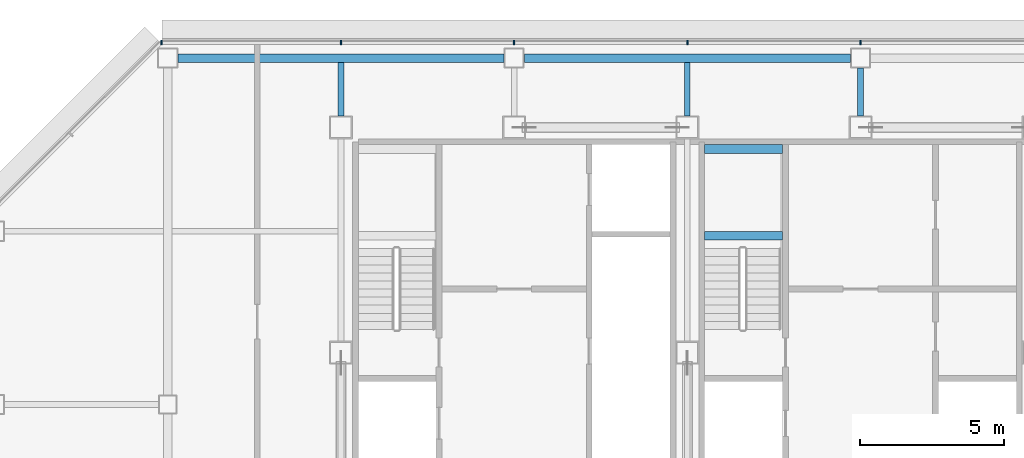
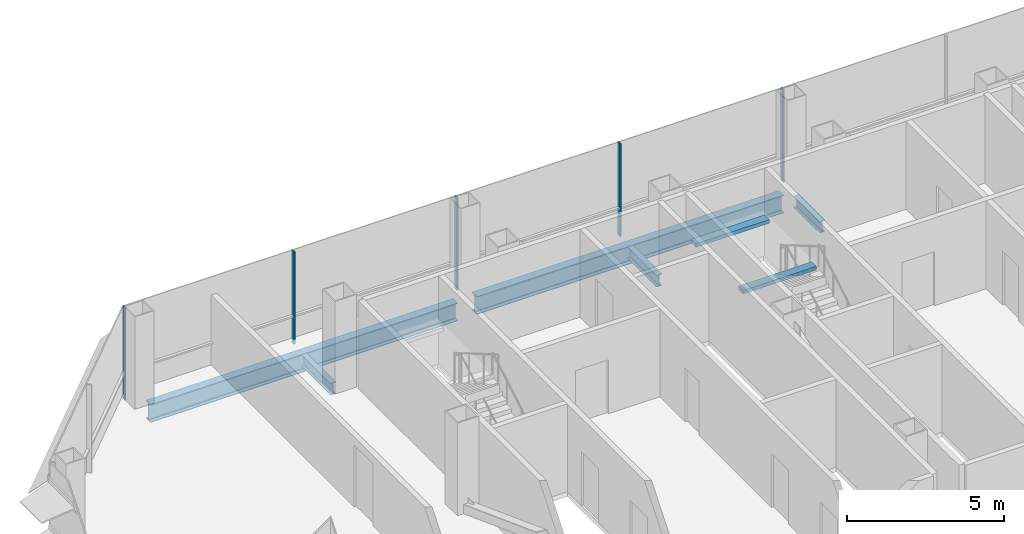
# One storey, part 12 of 26: 7 beams, 5 members, 1 element without a shape of its own.
"""IFC4 building model written with IfcOpenShell, lengths in metres."""

from ifc_helpers import new_model, si_unit, direction, frame, origin, origin_2d, place, context, subcontext, project, spatial, rectangle, i_section, extrude, material, material_profile, profile_set, type_object, element, aggregate, save


model = new_model("IFC4")

# Units and contexts
model_context = context("Model", 3, precision=1e-05, world=origin(), true_north=direction((0.0, 1.0)))
body_context = subcontext(model_context, "Body", "Model", "MODEL_VIEW")
ifc_project = project(units=[si_unit("LENGTHUNIT", "METRE"), si_unit("AREAUNIT", "SQUARE_METRE"), si_unit("VOLUMEUNIT", "CUBIC_METRE"), si_unit("PLANEANGLEUNIT", "RADIAN"), si_unit("MASSUNIT", "GRAM", prefix="KILO")], contexts=[model_context])

# Site, building, storey
site_placement = place(None, origin())
site = spatial("IfcSite", under=ifc_project, at=site_placement, CompositionType="ELEMENT")
building_placement = place(site_placement, origin())
building = spatial("IfcBuilding", under=site, at=building_placement, Name="Sorahane Residences", CompositionType="ELEMENT")
storey_placement = place(building_placement, frame((0.0, 0.0, 154.60009765625)))
storey = spatial("IfcBuildingStorey", under=building, at=storey_placement, Name="L35", CompositionType="ELEMENT", Elevation=154.60009765625)

# Curtain wall, members
ifc_material_1 = material(Name="Dark low-e glass and black anodised aluminium", Category="aluminium")
curtain_wall_type = type_object("IfcCurtainWallType", Name="Curtain wall CW-1 Typical unitised wall", PredefinedType="NOTDEFINED", material=ifc_material_1)
curtain_wall_placement = place(storey_placement, origin())
curtain_wall = element("IfcCurtainWall", 1, at=curtain_wall_placement, inside=storey, type_object=curtain_wall_type, Name="CW-1 curtain wall L35 N1", PredefinedType="NOTDEFINED")
ifc_material_2 = material(Name="Black anodised aluminium", Category="aluminium")
ifc_material_profile_1 = material_profile(ifc_material_2, rectangle(XDim=0.159912109375, YDim=0.050048828125, at=origin_2d()), Name="Curtain wall mullion CW-1 black anodised aluminium 50x160")
ifc_profile_set_1 = profile_set([ifc_material_profile_1], Name="Black anodised aluminium")
member_type = type_object("IfcMemberType", Name="Curtain wall mullion CW-1 black anodised aluminium 50x160", PredefinedType="MULLION", material=ifc_profile_set_1)
member_1_placement = place(storey_placement, frame((24.0, 48.5400390625, -0.18017578125), z_axis=(0.0, 0.0, 1.0), x_axis=(0.0, 1.0, 0.0)))
member_1 = element("IfcMember", 2, at=member_1_placement, type_object=member_type, Name="CW-1 mullion L35 N1.6", PredefinedType="MULLION", context=body_context, shape_type="SweptSolid", body=[
    extrude(rectangle(XDim=0.159912109375, YDim=0.050048828125, at=origin_2d()), origin(), (0.0, 0.0, 1.0), 3.60009765625),
])
member_2_placement = place(storey_placement, frame((18.0, 48.5400390625, -0.18017578125), z_axis=(0.0, 0.0, 1.0), x_axis=(0.0, 1.0, 0.0)))
member_2 = element("IfcMember", 3, at=member_2_placement, type_object=member_type, Name="CW-1 mullion L35 N1.7", PredefinedType="MULLION", context=body_context, shape_type="SweptSolid", body=[
    extrude(rectangle(XDim=0.159912109375, YDim=0.050048828125, at=origin_2d()), origin(), (0.0, 0.0, 1.0), 3.60009765625),
])
member_3_placement = place(storey_placement, frame((12.0, 48.5400390625, -0.18017578125), z_axis=(0.0, 0.0, 1.0), x_axis=(0.0, 1.0, 0.0)))
member_3 = element("IfcMember", 4, at=member_3_placement, type_object=member_type, Name="CW-1 mullion L35 N1.8", PredefinedType="MULLION", context=body_context, shape_type="SweptSolid", body=[
    extrude(rectangle(XDim=0.159912109375, YDim=0.050048828125, at=origin_2d()), origin(), (0.0, 0.0, 1.0), 3.60009765625),
])
member_4_placement = place(storey_placement, frame((6.0, 48.5400390625, -0.18017578125), z_axis=(0.0, 0.0, 1.0), x_axis=(0.0, 1.0, 0.0)))
member_4 = element("IfcMember", 5, at=member_4_placement, type_object=member_type, Name="CW-1 mullion L35 N1.9", PredefinedType="MULLION", context=body_context, shape_type="SweptSolid", body=[
    extrude(rectangle(XDim=0.159912109375, YDim=0.050048828125, at=origin_2d()), origin(), (0.0, 0.0, 1.0), 3.60009765625),
])
member_5_placement = place(storey_placement, frame((-0.2236328125, 48.5400390625, -0.18017578125), z_axis=(0.0, 0.0, 1.0), x_axis=(0.0, 1.0, 0.0)))
member_5 = element("IfcMember", 6, at=member_5_placement, type_object=member_type, Name="CW-1 mullion L35 N1.10", PredefinedType="MULLION", context=body_context, shape_type="SweptSolid", body=[
    extrude(rectangle(XDim=0.159912109375, YDim=0.050048828125, at=origin_2d()), origin(), (0.0, 0.0, 1.0), 3.60009765625),
])
aggregate(curtain_wall, [member_1, member_2, member_3, member_4, member_5])

# Beams
ifc_material_3 = material(Name="Concrete C40", Category="concrete")
ifc_material_profile_2 = material_profile(ifc_material_3, rectangle(XDim=0.300048828125, YDim=0.139892578125, at=origin_2d()), Name="300x140")
ifc_profile_set_2 = profile_set([ifc_material_profile_2], Name="Concrete C40")
beam_type_1 = type_object("IfcBeamType", Name="RC landing beam 300 x 140 Concrete C40", PredefinedType="BEAM", material=ifc_profile_set_2)
for number, where, z_axis, x_axis, name in (
    (7, (18.60009765625, 41.85009765625, 1.52978515625), (1.0, 0.0, 0.0), (0.0, 1.0, 0.0), "Landing beam"),
    (8, (18.60009765625, 44.85009765625, 1.52978515625), (1.0, 0.0, 0.0), (0.0, 1.0, 0.0), "Landing beam"),
):
    element("IfcBeam", number, at=place(storey_placement, frame(where, z_axis=z_axis, x_axis=x_axis)), inside=storey, type_object=beam_type_1, Name=name, PredefinedType="BEAM", context=body_context, shape_type="SweptSolid", body=[
        extrude(rectangle(XDim=0.300048828125, YDim=0.139892578125, at=origin_2d()), origin(), (0.0, 0.0, 1.0), 2.699951171875),
    ])
ifc_material_4 = material(Name="Steel Q355B", Category="steel")
ifc_material_profile_3 = material_profile(ifc_material_4, i_section(OverallWidth=0.199951171875, OverallDepth=0.449951171875, WebThickness=0.009033203125, FlangeThickness=0.013916015625, FilletRadius=0.02001953125, at=origin_2d()), Name="HN 450x200x9x14")
ifc_profile_set_3 = profile_set([ifc_material_profile_3], Name="Steel Q355B")
beam_type_2 = type_object("IfcBeamType", Name="Steel floor beam HN 450x200x9x14 Q355B", PredefinedType="BEAM", material=ifc_profile_set_3)
for number, where, z_axis, x_axis, name in (
    (9, (6.0, 46.0, -0.405029296875), (0.0, 1.0, 0.0), (-1.0, 0.0, 0.0), "Beam L35 033"),
    (10, (18.0, 46.0, -0.405029296875), (0.0, 1.0, 0.0), (-1.0, 0.0, 0.0), "Beam L35 041"),
):
    element("IfcBeam", number, at=place(storey_placement, frame(where, z_axis=z_axis, x_axis=x_axis)), inside=storey, type_object=beam_type_2, Name=name, PredefinedType="BEAM", context=body_context, shape_type="SweptSolid", body=[
        extrude(i_section(OverallWidth=0.199951171875, OverallDepth=0.449951171875, WebThickness=0.009033203125, FlangeThickness=0.013916015625, FilletRadius=0.02001953125, at=origin_2d()), origin(), (0.0, 0.0, 1.0), 1.85009765625),
    ])
beam_placement = place(storey_placement, frame((24.0, 46.0, -0.405029296875), z_axis=(0.0, 1.0, 0.0), x_axis=(-1.0, 0.0, 0.0)))
element("IfcBeam", 11, at=beam_placement, inside=storey, type_object=beam_type_2, Name="Beam L35 043", PredefinedType="BEAM", context=body_context, shape_type="SweptSolid", body=[
    extrude(i_section(OverallWidth=0.199951171875, OverallDepth=0.449951171875, WebThickness=0.009033203125, FlangeThickness=0.013916015625, FilletRadius=0.02001953125, at=origin_2d()), origin(), (0.0, 0.0, 1.0), 1.64990234375),
])
ifc_material_5 = material(Name="Steel Q355B", Category="steel")
ifc_material_profile_4 = material_profile(ifc_material_5, i_section(OverallWidth=0.300048828125, OverallDepth=0.699951171875, WebThickness=0.012939453125, FlangeThickness=0.02392578125, FilletRadius=0.028076171875, at=origin_2d()), Name="HN 700x300x13x24")
ifc_profile_set_4 = profile_set([ifc_material_profile_4], Name="Steel Q355B")
beam_type_3 = type_object("IfcBeamType", Name="Steel floor beam HN 700x300x13x24 Q355B", PredefinedType="BEAM", material=ifc_profile_set_4)
for number, where, z_axis, x_axis, name in (
    (12, (0.35009765625, 48.0, -0.530029296875), (1.0, 0.0, 0.0), (0.0, 1.0, 0.0), "Beam L35 015"),
    (13, (12.35009765625, 48.0, -0.530029296875), (1.0, 0.0, 0.0), (0.0, 1.0, 0.0), "Beam L35 016"),
):
    element("IfcBeam", number, at=place(storey_placement, frame(where, z_axis=z_axis, x_axis=x_axis)), inside=storey, type_object=beam_type_3, Name=name, PredefinedType="BEAM", context=body_context, shape_type="SweptSolid", body=[
        extrude(i_section(OverallWidth=0.300048828125, OverallDepth=0.699951171875, WebThickness=0.012939453125, FlangeThickness=0.02392578125, FilletRadius=0.028076171875, at=origin_2d()), origin(), (0.0, 0.0, 1.0), 11.2998046875),
    ])

save(model, "model.ifc")
